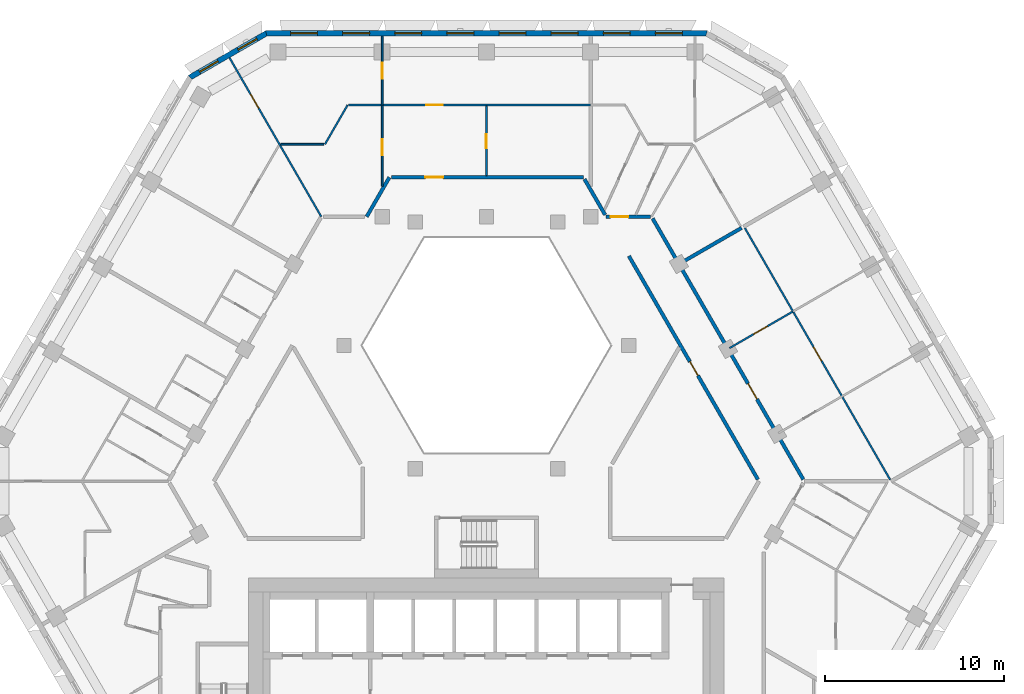
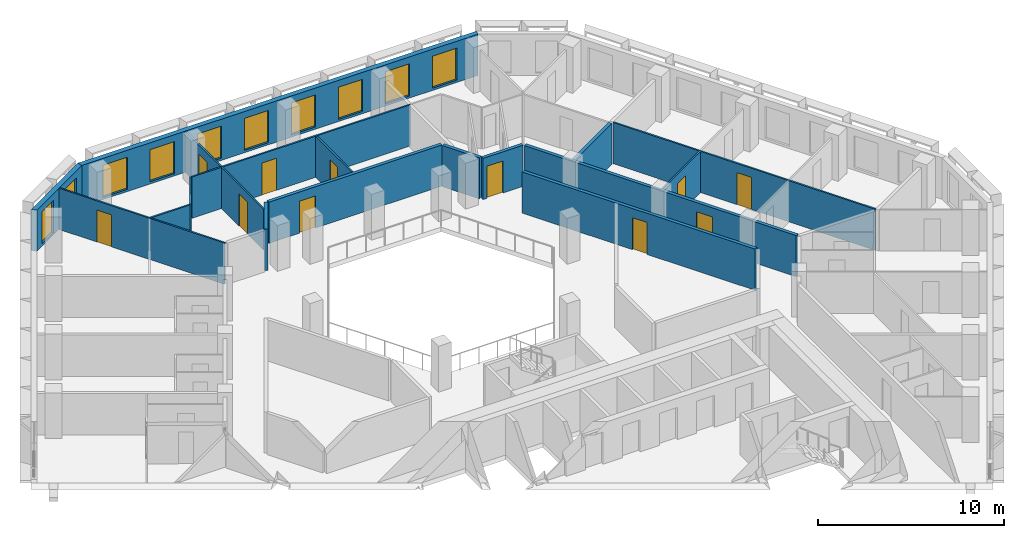
# One storey, part 8 of 17: 18 walls, 11 doors, 10 windows, 21 openings.
"""IFC4 building model written with IfcOpenShell, lengths in metres."""

from ifc_helpers import new_model, si_unit, direction, frame, frame_2d, origin, place, context, subcontext, project, spatial, polyline, rectangle, outline, extrude, material, layer, layer_set, type_object, element, fill, save


model = new_model("IFC4")

# Units and contexts
model_context = context("Model", 3, precision=1e-05, world=origin(), true_north=direction((0.0, 1.0)))
body_context = subcontext(model_context, "Body", "Model", "MODEL_VIEW")
ifc_project = project(units=[si_unit("LENGTHUNIT", "METRE"), si_unit("AREAUNIT", "SQUARE_METRE"), si_unit("VOLUMEUNIT", "CUBIC_METRE"), si_unit("PLANEANGLEUNIT", "RADIAN"), si_unit("MASSUNIT", "GRAM", prefix="KILO")], contexts=[model_context])

# Site, building, storey
site_placement = place(None, origin())
site = spatial("IfcSite", under=ifc_project, at=site_placement, CompositionType="ELEMENT")
building_placement = place(site_placement, origin())
building = spatial("IfcBuilding", under=site, at=building_placement, Name="Beryl Residences", CompositionType="ELEMENT")
storey_placement = place(building_placement, frame((0.0, 0.0, 132.60009765625)))
storey = spatial("IfcBuildingStorey", under=building, at=storey_placement, Name="L40", CompositionType="ELEMENT", Elevation=132.60009765625)

# Wall, openings, windows
ifc_material_1 = material(Name="Composite metal panel with mineral wool insulation")
ifc_layer_1 = layer(ifc_material_1, 0.300048828125)
ifc_layer_set_1 = layer_set([ifc_layer_1], Name="ES1 pale metal composite panel wall 300 mm")
wall_type_1 = type_object("IfcWallType", Name="ES1 pale metal composite panel wall 300 mm", PredefinedType="SOLIDWALL", material=ifc_layer_set_1)
wall_1_placement = place(storey_placement, frame((12.35498046875, 25.449951171875, 0.0), z_axis=(0.0, 0.0, 1.0), x_axis=(-1.0, 0.0, 0.0)))
wall_1 = element("IfcWall", 1, at=wall_1_placement, inside=storey, type_object=wall_type_1, Name="ES1 external wall L40 N", PredefinedType="SOLIDWALL", context=body_context, shape_type="SweptSolid", body=[
    extrude(outline(polyline([(0.0, -0.14990234375), (24.7099609375, -0.14990234375), (24.629638671875, 0.14990234375), (0.080322265625, 0.14990234375), (0.0, -0.14990234375)])), origin(), (0.0, 0.0, 1.0), 2.699951171875),
])
opening_1_placement = place(wall_1_placement, frame((1.40087890625, 0.0, 0.14990234375)))
opening_1 = element("IfcOpeningElement", 2, at=opening_1_placement, cuts=wall_1, Name="Opening W1", PredefinedType="OPENING", context=body_context, shape_type="SweptSolid", body=[
    extrude(rectangle(XDim=1.5, YDim=2.10009765625, at=frame_2d((0.75, 1.050048828125))), frame((0.0, 0.159912109375, 0.0), z_axis=(0.0, -1.0, 0.0), x_axis=(1.0, 0.0, 0.0)), (0.0, 0.0, 1.0), 0.320068359375),
])
opening_2_placement = place(wall_1_placement, frame((4.31591796875, 0.0, 0.14990234375)))
opening_2 = element("IfcOpeningElement", 3, at=opening_2_placement, cuts=wall_1, Name="Opening W1", PredefinedType="OPENING", context=body_context, shape_type="SweptSolid", body=[
    extrude(rectangle(XDim=1.5, YDim=2.10009765625, at=frame_2d((0.75, 1.050048828125))), frame((0.0, 0.159912109375, 0.0), z_axis=(0.0, -1.0, 0.0), x_axis=(1.0, 0.0, 0.0)), (0.0, 0.0, 1.0), 0.320068359375),
])
opening_3_placement = place(wall_1_placement, frame((7.23193359375, 0.0, 0.14990234375)))
opening_3 = element("IfcOpeningElement", 4, at=opening_3_placement, cuts=wall_1, Name="Opening W1", PredefinedType="OPENING", context=body_context, shape_type="SweptSolid", body=[
    extrude(rectangle(XDim=1.5, YDim=2.10009765625, at=frame_2d((0.75, 1.050048828125))), frame((0.0, 0.159912109375, 0.0), z_axis=(0.0, -1.0, 0.0), x_axis=(1.0, 0.0, 0.0)), (0.0, 0.0, 1.0), 0.320068359375),
])
opening_4_placement = place(wall_1_placement, frame((10.14697265625, 0.0, 0.14990234375)))
opening_4 = element("IfcOpeningElement", 5, at=opening_4_placement, cuts=wall_1, Name="Opening W1", PredefinedType="OPENING", context=body_context, shape_type="SweptSolid", body=[
    extrude(rectangle(XDim=1.5, YDim=2.10009765625, at=frame_2d((0.75, 1.050048828125))), frame((0.0, 0.159912109375, 0.0), z_axis=(0.0, -1.0, 0.0), x_axis=(1.0, 0.0, 0.0)), (0.0, 0.0, 1.0), 0.320068359375),
])
opening_5_placement = place(wall_1_placement, frame((13.06298828125, 0.0, 0.14990234375)))
opening_5 = element("IfcOpeningElement", 6, at=opening_5_placement, cuts=wall_1, Name="Opening W1", PredefinedType="OPENING", context=body_context, shape_type="SweptSolid", body=[
    extrude(rectangle(XDim=1.5, YDim=2.10009765625, at=frame_2d((0.75, 1.050048828125))), frame((0.0, 0.159912109375, 0.0), z_axis=(0.0, -1.0, 0.0), x_axis=(1.0, 0.0, 0.0)), (0.0, 0.0, 1.0), 0.320068359375),
])
opening_6_placement = place(wall_1_placement, frame((15.97802734375, 0.0, 0.14990234375)))
opening_6 = element("IfcOpeningElement", 7, at=opening_6_placement, cuts=wall_1, Name="Opening W1", PredefinedType="OPENING", context=body_context, shape_type="SweptSolid", body=[
    extrude(rectangle(XDim=1.5, YDim=2.10009765625, at=frame_2d((0.75, 1.050048828125))), frame((0.0, 0.159912109375, 0.0), z_axis=(0.0, -1.0, 0.0), x_axis=(1.0, 0.0, 0.0)), (0.0, 0.0, 1.0), 0.320068359375),
])
opening_7_placement = place(wall_1_placement, frame((18.89404296875, 0.0, 0.14990234375)))
opening_7 = element("IfcOpeningElement", 8, at=opening_7_placement, cuts=wall_1, Name="Opening W1", PredefinedType="OPENING", context=body_context, shape_type="SweptSolid", body=[
    extrude(rectangle(XDim=1.5, YDim=2.10009765625, at=frame_2d((0.75, 1.050048828125))), frame((0.0, 0.159912109375, 0.0), z_axis=(0.0, -1.0, 0.0), x_axis=(1.0, 0.0, 0.0)), (0.0, 0.0, 1.0), 0.320068359375),
])
opening_8_placement = place(wall_1_placement, frame((21.80908203125, 0.0, 0.14990234375)))
opening_8 = element("IfcOpeningElement", 9, at=opening_8_placement, cuts=wall_1, Name="Opening W1", PredefinedType="OPENING", context=body_context, shape_type="SweptSolid", body=[
    extrude(rectangle(XDim=1.5, YDim=2.10009765625, at=frame_2d((0.75, 1.050048828125))), frame((0.0, 0.159912109375, 0.0), z_axis=(0.0, -1.0, 0.0), x_axis=(1.0, 0.0, 0.0)), (0.0, 0.0, 1.0), 0.320068359375),
])
ifc_material_2 = material(Name="Aluminium and clear glass", Category="aluminium")
window_type_1 = type_object("IfcWindowType", Name="W1 cell window 1500 x 2100 mm", PartitioningType="SINGLE_PANEL", PredefinedType="WINDOW", material=ifc_material_2)
window_1_placement = place(opening_1_placement, origin())
window_1 = element("IfcWindow", 10, at=window_1_placement, inside=storey, type_object=window_type_1, Name="W1 window L40 N 1", OverallHeight=2.10009765625, OverallWidth=1.5, PartitioningType="SINGLE_PANEL", PredefinedType="WINDOW", context=body_context, shape_type="SweptSolid", body=[
    extrude(rectangle(XDim=1.5, YDim=2.10009765625, at=frame_2d((0.75, 1.050048828125))), frame((0.0, 0.030029296875, 0.0), z_axis=(0.0, -1.0, 0.0), x_axis=(1.0, 0.0, 0.0)), (0.0, 0.0, 1.0), 0.06005859375),
])
fill(opening_1, window_1)
window_2_placement = place(opening_2_placement, origin())
window_2 = element("IfcWindow", 11, at=window_2_placement, inside=storey, type_object=window_type_1, Name="W1 window L40 N 2", OverallHeight=2.10009765625, OverallWidth=1.5, PartitioningType="SINGLE_PANEL", PredefinedType="WINDOW", context=body_context, shape_type="SweptSolid", body=[
    extrude(rectangle(XDim=1.5, YDim=2.10009765625, at=frame_2d((0.75, 1.050048828125))), frame((0.0, 0.030029296875, 0.0), z_axis=(0.0, -1.0, 0.0), x_axis=(1.0, 0.0, 0.0)), (0.0, 0.0, 1.0), 0.06005859375),
])
fill(opening_2, window_2)
window_3_placement = place(opening_3_placement, origin())
window_3 = element("IfcWindow", 12, at=window_3_placement, inside=storey, type_object=window_type_1, Name="W1 window L40 N 3", OverallHeight=2.10009765625, OverallWidth=1.5, PartitioningType="SINGLE_PANEL", PredefinedType="WINDOW", context=body_context, shape_type="SweptSolid", body=[
    extrude(rectangle(XDim=1.5, YDim=2.10009765625, at=frame_2d((0.75, 1.050048828125))), frame((0.0, 0.030029296875, 0.0), z_axis=(0.0, -1.0, 0.0), x_axis=(1.0, 0.0, 0.0)), (0.0, 0.0, 1.0), 0.06005859375),
])
fill(opening_3, window_3)
window_4_placement = place(opening_4_placement, origin())
window_4 = element("IfcWindow", 13, at=window_4_placement, inside=storey, type_object=window_type_1, Name="W1 window L40 N 4", OverallHeight=2.10009765625, OverallWidth=1.5, PartitioningType="SINGLE_PANEL", PredefinedType="WINDOW", context=body_context, shape_type="SweptSolid", body=[
    extrude(rectangle(XDim=1.5, YDim=2.10009765625, at=frame_2d((0.75, 1.050048828125))), frame((0.0, 0.030029296875, 0.0), z_axis=(0.0, -1.0, 0.0), x_axis=(1.0, 0.0, 0.0)), (0.0, 0.0, 1.0), 0.06005859375),
])
fill(opening_4, window_4)
window_5_placement = place(opening_5_placement, origin())
window_5 = element("IfcWindow", 14, at=window_5_placement, inside=storey, type_object=window_type_1, Name="W1 window L40 N 5", OverallHeight=2.10009765625, OverallWidth=1.5, PartitioningType="SINGLE_PANEL", PredefinedType="WINDOW", context=body_context, shape_type="SweptSolid", body=[
    extrude(rectangle(XDim=1.5, YDim=2.10009765625, at=frame_2d((0.75, 1.050048828125))), frame((0.0, 0.030029296875, 0.0), z_axis=(0.0, -1.0, 0.0), x_axis=(1.0, 0.0, 0.0)), (0.0, 0.0, 1.0), 0.06005859375),
])
fill(opening_5, window_5)
window_6_placement = place(opening_6_placement, origin())
window_6 = element("IfcWindow", 15, at=window_6_placement, inside=storey, type_object=window_type_1, Name="W1 window L40 N 6", OverallHeight=2.10009765625, OverallWidth=1.5, PartitioningType="SINGLE_PANEL", PredefinedType="WINDOW", context=body_context, shape_type="SweptSolid", body=[
    extrude(rectangle(XDim=1.5, YDim=2.10009765625, at=frame_2d((0.75, 1.050048828125))), frame((0.0, 0.030029296875, 0.0), z_axis=(0.0, -1.0, 0.0), x_axis=(1.0, 0.0, 0.0)), (0.0, 0.0, 1.0), 0.06005859375),
])
fill(opening_6, window_6)
window_7_placement = place(opening_7_placement, origin())
window_7 = element("IfcWindow", 16, at=window_7_placement, inside=storey, type_object=window_type_1, Name="W1 window L40 N 7", OverallHeight=2.10009765625, OverallWidth=1.5, PartitioningType="SINGLE_PANEL", PredefinedType="WINDOW", context=body_context, shape_type="SweptSolid", body=[
    extrude(rectangle(XDim=1.5, YDim=2.10009765625, at=frame_2d((0.75, 1.050048828125))), frame((0.0, 0.030029296875, 0.0), z_axis=(0.0, -1.0, 0.0), x_axis=(1.0, 0.0, 0.0)), (0.0, 0.0, 1.0), 0.06005859375),
])
fill(opening_7, window_7)
window_8_placement = place(opening_8_placement, origin())
window_8 = element("IfcWindow", 17, at=window_8_placement, inside=storey, type_object=window_type_1, Name="W1 window L40 N 8", OverallHeight=2.10009765625, OverallWidth=1.5, PartitioningType="SINGLE_PANEL", PredefinedType="WINDOW", context=body_context, shape_type="SweptSolid", body=[
    extrude(rectangle(XDim=1.5, YDim=2.10009765625, at=frame_2d((0.75, 1.050048828125))), frame((0.0, 0.030029296875, 0.0), z_axis=(0.0, -1.0, 0.0), x_axis=(1.0, 0.0, 0.0)), (0.0, 0.0, 1.0), 0.06005859375),
])
fill(opening_8, window_8)

wall_2_placement = place(storey_placement, frame((-12.280029296875, 25.469970703125, 0.0), z_axis=(0.0, 0.0, 1.0), x_axis=(-0.866022959057, -0.500004234368, 0.0)))
wall_2 = element("IfcWall", 18, at=wall_2_placement, inside=storey, type_object=wall_type_1, Name="ES1 external wall L40 N-NW", PredefinedType="SOLIDWALL", context=body_context, shape_type="SweptSolid", body=[
    extrude(outline(polyline([(0.0, -0.14990234375), (5.0, -0.14990234375), (4.919677734375, 0.14990234375), (0.080322265625, 0.14990234375), (0.0, -0.14990234375)])), origin(), (0.0, 0.0, 1.0), 2.699951171875),
])
opening_9_placement = place(wall_2_placement, frame((0.64990234375, 0.0, 0.14990234375)))
opening_9 = element("IfcOpeningElement", 19, at=opening_9_placement, cuts=wall_2, Name="Opening W2", PredefinedType="OPENING", context=body_context, shape_type="SweptSolid", body=[
    extrude(rectangle(XDim=1.199951171875, YDim=2.10009765625, at=frame_2d((0.60009765625, 1.050048828125))), frame((0.0, 0.159912109375, 0.0), z_axis=(0.0, -1.0, 0.0), x_axis=(1.0, 0.0, 0.0)), (0.0, 0.0, 1.0), 0.320068359375),
])
opening_10_placement = place(wall_2_placement, frame((3.14892578125, 0.0, 0.14990234375)))
opening_10 = element("IfcOpeningElement", 20, at=opening_10_placement, cuts=wall_2, Name="Opening W2", PredefinedType="OPENING", context=body_context, shape_type="SweptSolid", body=[
    extrude(rectangle(XDim=1.199951171875, YDim=2.10009765625, at=frame_2d((0.60009765625, 1.050048828125))), frame((0.0, 0.159912109375, 0.0), z_axis=(0.0, -1.0, 0.0), x_axis=(1.0, 0.0, 0.0)), (0.0, 0.0, 1.0), 0.320068359375),
])
ifc_material_3 = material(Name="Aluminium and clear glass", Category="aluminium")
window_type_2 = type_object("IfcWindowType", Name="W2 chamfer window 1200 x 2100 mm", PartitioningType="SINGLE_PANEL", PredefinedType="WINDOW", material=ifc_material_3)
window_9_placement = place(opening_9_placement, origin())
window_9 = element("IfcWindow", 21, at=window_9_placement, inside=storey, type_object=window_type_2, Name="W2 window L40 N-NW 1", OverallHeight=2.10009765625, OverallWidth=1.199951171875, PartitioningType="SINGLE_PANEL", PredefinedType="WINDOW", context=body_context, shape_type="SweptSolid", body=[
    extrude(rectangle(XDim=1.199951171875, YDim=2.10009765625, at=frame_2d((0.60009765625, 1.050048828125))), frame((0.0, 0.030029296875, 0.0), z_axis=(0.0, -1.0, 0.0), x_axis=(1.0, 0.0, 0.0)), (0.0, 0.0, 1.0), 0.06005859375),
])
fill(opening_9, window_9)
window_10_placement = place(opening_10_placement, origin())
window_10 = element("IfcWindow", 22, at=window_10_placement, inside=storey, type_object=window_type_2, Name="W2 window L40 N-NW 2", OverallHeight=2.10009765625, OverallWidth=1.199951171875, PartitioningType="SINGLE_PANEL", PredefinedType="WINDOW", context=body_context, shape_type="SweptSolid", body=[
    extrude(rectangle(XDim=1.199951171875, YDim=2.10009765625, at=frame_2d((0.60009765625, 1.050048828125))), frame((0.0, 0.030029296875, 0.0), z_axis=(0.0, -1.0, 0.0), x_axis=(1.0, 0.0, 0.0)), (0.0, 0.0, 1.0), 0.06005859375),
])
fill(opening_10, window_10)

# Wall, opening, door
ifc_material_4 = material(Name="Gypsum board partition on steel studs", Category="steel")
ifc_layer_2 = layer(ifc_material_4, 0.10009765625)
ifc_layer_set_2 = layer_set([ifc_layer_2], Name="PT1 partition 100 mm gypsum board on steel studs")
wall_type_2 = type_object("IfcWallType", Name="PT1 partition 100 mm gypsum board on steel studs", PredefinedType="PARTITIONING", material=ifc_layer_set_2)
wall_3_placement = place(storey_placement, frame((-14.3701171875, 24.090087890625, 0.0), z_axis=(0.0, 0.0, 1.0), x_axis=(0.50002438799, -0.866011322914, 0.0)))
wall_3 = element("IfcWall", 23, at=wall_3_placement, inside=storey, type_object=wall_type_2, Name="Wall PT1 L40 001", PredefinedType="PARTITIONING", context=body_context, shape_type="SweptSolid", body=[
    extrude(rectangle(XDim=10.265625, YDim=0.10009765625, at=frame_2d((5.1328125, 0.0))), origin(), (0.0, 0.0, 1.0), 2.699951171875),
])
opening_11_placement = place(wall_3_placement, frame((2.346923828125, 0.0, 0.0)))
opening_11 = element("IfcOpeningElement", 24, at=opening_11_placement, cuts=wall_3, Name="Opening D1013", PredefinedType="OPENING", context=body_context, shape_type="SweptSolid", body=[
    extrude(rectangle(XDim=0.89990234375, YDim=2.10009765625, at=frame_2d((0.449951171875, 1.050048828125))), frame((0.0, 0.06005859375, 0.0), z_axis=(0.0, -1.0, 0.0), x_axis=(1.0, 0.0, 0.0)), (0.0, 0.0, 1.0), 0.1201171875),
])
ifc_material_5 = material(Name="Timber door leaf", Category="wood")
door_type_1 = type_object("IfcDoorType", Name="D2 room door 900 x 2100 mm", OperationType="SINGLE_SWING_LEFT", PredefinedType="DOOR", material=ifc_material_5)
door_1_placement = place(opening_11_placement, origin())
door_1 = element("IfcDoor", 25, at=door_1_placement, inside=storey, type_object=door_type_1, Name="Door D1013 L40 001", OperationType="SINGLE_SWING_LEFT", OverallHeight=2.10009765625, OverallWidth=0.89990234375, PredefinedType="DOOR", context=body_context, shape_type="SweptSolid", body=[
    extrude(rectangle(XDim=0.89990234375, YDim=2.10009765625, at=frame_2d((0.449951171875, 1.050048828125))), frame((0.0, 0.02490234375, 0.0), z_axis=(0.0, -1.0, 0.0), x_axis=(1.0, 0.0, 0.0)), (0.0, 0.0, 1.0), 0.050048828125),
])
fill(opening_11, door_1)

wall_4_placement = place(storey_placement, frame((14.455078125, 14.56298828125, 0.0), z_axis=(0.0, 0.0, 1.0), x_axis=(0.500009803579, -0.866019743612, 0.0)))
wall_4 = element("IfcWall", 26, at=wall_4_placement, inside=storey, type_object=wall_type_2, Name="Wall PT1 L40 005", PredefinedType="PARTITIONING", context=body_context, shape_type="SweptSolid", body=[
    extrude(rectangle(XDim=16.253662109375, YDim=0.10009765625, at=frame_2d((8.126953125, 0.0))), origin(), (0.0, 0.0, 1.0), 2.699951171875),
])
opening_12_placement = place(wall_4_placement, frame((7.677001953125, 0.0, 0.0)))
opening_12 = element("IfcOpeningElement", 27, at=opening_12_placement, cuts=wall_4, Name="Opening D1050", PredefinedType="OPENING", context=body_context, shape_type="SweptSolid", body=[
    extrude(rectangle(XDim=0.89990234375, YDim=2.10009765625, at=frame_2d((0.449951171875, 1.050048828125))), frame((0.0, 0.06005859375, 0.0), z_axis=(0.0, -1.0, 0.0), x_axis=(1.0, 0.0, 0.0)), (0.0, 0.0, 1.0), 0.1201171875),
])
door_2_placement = place(opening_12_placement, origin())
door_2 = element("IfcDoor", 28, at=door_2_placement, inside=storey, type_object=door_type_1, Name="Door D1050 L40 001", OperationType="SINGLE_SWING_RIGHT", OverallHeight=2.10009765625, OverallWidth=0.89990234375, PredefinedType="DOOR", context=body_context, shape_type="SweptSolid", body=[
    extrude(rectangle(XDim=0.89990234375, YDim=2.10009765625, at=frame_2d((0.449951171875, 1.050048828125))), frame((0.0, 0.02490234375, 0.0), z_axis=(0.0, -1.0, 0.0), x_axis=(1.0, 0.0, 0.0)), (0.0, 0.0, 1.0), 0.050048828125),
])
fill(opening_12, door_2)

# Wall
wall_5_placement = place(storey_placement, frame((-11.51611328125, 19.24609375, 0.0), z_axis=(0.0, 0.0, 1.0), x_axis=(1.0, 0.0, 0.0)))
element("IfcWall", 29, at=wall_5_placement, inside=storey, type_object=wall_type_2, Name="Wall PT1 L40 027", PredefinedType="PARTITIONING", context=body_context, shape_type="SweptSolid", body=[
    extrude(rectangle(XDim=2.425048828125, YDim=0.10009765625, at=frame_2d((1.21240234375, 0.0))), origin(), (0.0, 0.0, 1.0), 2.699951171875),
])

# Wall, opening, door
wall_6_placement = place(storey_placement, frame((-7.7060546875, 21.446044921875, 0.0), z_axis=(0.0, 0.0, 1.0), x_axis=(1.0, 0.0, 0.0)))
wall_6 = element("IfcWall", 30, at=wall_6_placement, inside=storey, type_object=wall_type_2, Name="Wall PT1 L40 029", PredefinedType="PARTITIONING", context=body_context, shape_type="SweptSolid", body=[
    extrude(rectangle(XDim=13.537109375, YDim=0.10009765625, at=frame_2d((6.7685546875, 0.0))), origin(), (0.0, 0.0, 1.0), 2.699951171875),
])
opening_13_placement = place(wall_6_placement, frame((4.35009765625, 0.0, 0.0)))
opening_13 = element("IfcOpeningElement", 31, at=opening_13_placement, cuts=wall_6, Name="Opening D1009", PredefinedType="OPENING", context=body_context, shape_type="SweptSolid", body=[
    extrude(rectangle(XDim=0.89990234375, YDim=2.10009765625, at=frame_2d((0.449951171875, 1.050048828125))), frame((0.0, 0.06005859375, 0.0), z_axis=(0.0, -1.0, 0.0), x_axis=(1.0, 0.0, 0.0)), (0.0, 0.0, 1.0), 0.1201171875),
])
door_3_placement = place(opening_13_placement, origin())
door_3 = element("IfcDoor", 32, at=door_3_placement, inside=storey, type_object=door_type_1, Name="Door D1009 L40 001", OperationType="SINGLE_SWING_LEFT", OverallHeight=2.10009765625, OverallWidth=0.89990234375, PredefinedType="DOOR", context=body_context, shape_type="SweptSolid", body=[
    extrude(rectangle(XDim=0.89990234375, YDim=2.10009765625, at=frame_2d((0.449951171875, 1.050048828125))), frame((0.0, 0.02490234375, 0.0), z_axis=(0.0, -1.0, 0.0), x_axis=(1.0, 0.0, 0.0)), (0.0, 0.0, 1.0), 0.050048828125),
])
fill(opening_13, door_3)

# Wall
wall_7_placement = place(storey_placement, frame((-9.032958984375, 19.24609375, 0.0), z_axis=(0.0, 0.0, 1.0), x_axis=(0.499963722229, 0.866046347752, 0.0)))
element("IfcWall", 33, at=wall_7_placement, inside=storey, type_object=wall_type_2, Name="Wall PT1 L40 032", PredefinedType="PARTITIONING", context=body_context, shape_type="SweptSolid", body=[
    extrude(rectangle(XDim=2.540283203125, YDim=0.10009765625, at=frame_2d((1.27001953125, 0.0))), origin(), (0.0, 0.0, 1.0), 2.699951171875),
])

# Wall, opening, door
wall_8_placement = place(storey_placement, frame((0.0, 17.5, 0.0), z_axis=(0.0, 0.0, 1.0), x_axis=(0.0, 1.0, 0.0)))
wall_8 = element("IfcWall", 34, at=wall_8_placement, inside=storey, type_object=wall_type_2, Name="Wall PT1 L40 044", PredefinedType="PARTITIONING", context=body_context, shape_type="SweptSolid", body=[
    extrude(rectangle(XDim=3.89599609375, YDim=0.10009765625, at=frame_2d((1.947998046875, 0.0))), origin(), (0.0, 0.0, 1.0), 2.699951171875),
])
opening_14_placement = place(wall_8_placement, frame((1.52294921875, 0.0, 0.0)))
opening_14 = element("IfcOpeningElement", 35, at=opening_14_placement, cuts=wall_8, Name="Opening D1011", PredefinedType="OPENING", context=body_context, shape_type="SweptSolid", body=[
    extrude(rectangle(XDim=0.800048828125, YDim=2.10009765625, at=frame_2d((0.39990234375, 1.050048828125))), frame((0.0, 0.06005859375, 0.0), z_axis=(0.0, -1.0, 0.0), x_axis=(1.0, 0.0, 0.0)), (0.0, 0.0, 1.0), 0.1201171875),
])
ifc_material_6 = material(Name="Timber door leaf", Category="wood")
door_type_2 = type_object("IfcDoorType", Name="D3 bathroom door 800 x 2100 mm", OperationType="SINGLE_SWING_LEFT", PredefinedType="DOOR", material=ifc_material_6)
door_4_placement = place(opening_14_placement, origin())
door_4 = element("IfcDoor", 36, at=door_4_placement, inside=storey, type_object=door_type_2, Name="Door D1011 L40 001", OperationType="SINGLE_SWING_LEFT", OverallHeight=2.10009765625, OverallWidth=0.800048828125, PredefinedType="DOOR", context=body_context, shape_type="SweptSolid", body=[
    extrude(rectangle(XDim=0.800048828125, YDim=2.10009765625, at=frame_2d((0.39990234375, 1.050048828125))), frame((0.0, 0.02490234375, 0.0), z_axis=(0.0, -1.0, 0.0), x_axis=(1.0, 0.0, 0.0)), (0.0, 0.0, 1.0), 0.050048828125),
])
fill(opening_14, door_4)

wall_9_placement = place(storey_placement, frame((-5.8310546875, 16.89990234375, 0.0), z_axis=(0.0, 0.0, 1.0), x_axis=(0.0, 1.0, 0.0)))
wall_9 = element("IfcWall", 37, at=wall_9_placement, inside=storey, type_object=wall_type_2, Name="Wall PT1 L40 046", PredefinedType="PARTITIONING", context=body_context, shape_type="SweptSolid", body=[
    extrude(rectangle(XDim=4.546142578125, YDim=0.10009765625, at=frame_2d((2.27294921875, 0.0))), origin(), (0.0, 0.0, 1.0), 2.699951171875),
])
opening_15_placement = place(wall_9_placement, frame((1.722900390625, 0.0, 0.0)))
opening_15 = element("IfcOpeningElement", 38, at=opening_15_placement, cuts=wall_9, Name="Opening D1010", PredefinedType="OPENING", context=body_context, shape_type="SweptSolid", body=[
    extrude(rectangle(XDim=0.89990234375, YDim=2.10009765625, at=frame_2d((0.449951171875, 1.050048828125))), frame((0.0, 0.06005859375, 0.0), z_axis=(0.0, -1.0, 0.0), x_axis=(1.0, 0.0, 0.0)), (0.0, 0.0, 1.0), 0.1201171875),
])
door_5_placement = place(opening_15_placement, origin())
door_5 = element("IfcDoor", 39, at=door_5_placement, inside=storey, type_object=door_type_1, Name="Door D1010 L40 001", OperationType="SINGLE_SWING_RIGHT", OverallHeight=2.10009765625, OverallWidth=0.89990234375, PredefinedType="DOOR", context=body_context, shape_type="SweptSolid", body=[
    extrude(rectangle(XDim=0.89990234375, YDim=2.10009765625, at=frame_2d((0.449951171875, 1.050048828125))), frame((0.0, 0.02490234375, 0.0), z_axis=(0.0, -1.0, 0.0), x_axis=(1.0, 0.0, 0.0)), (0.0, 0.0, 1.0), 0.050048828125),
])
fill(opening_15, door_5)

wall_10_placement = place(storey_placement, frame((13.596923828125, 7.85009765625, 0.0), z_axis=(0.0, 0.0, 1.0), x_axis=(0.866006068523, 0.500033488159, 0.0)))
wall_10 = element("IfcWall", 40, at=wall_10_placement, inside=storey, type_object=wall_type_2, Name="Wall PT1 L40 052", PredefinedType="PARTITIONING", context=body_context, shape_type="SweptSolid", body=[
    extrude(rectangle(XDim=4.099365234375, YDim=0.10009765625, at=frame_2d((2.0498046875, 0.0))), origin(), (0.0, 0.0, 1.0), 2.699951171875),
])
opening_16_placement = place(wall_10_placement, frame((1.550048828125, 0.0, 0.0)))
opening_16 = element("IfcOpeningElement", 41, at=opening_16_placement, cuts=wall_10, Name="Opening D1052", PredefinedType="OPENING", context=body_context, shape_type="SweptSolid", body=[
    extrude(rectangle(XDim=0.89990234375, YDim=2.10009765625, at=frame_2d((0.449951171875, 1.050048828125))), frame((0.0, 0.06005859375, 0.0), z_axis=(0.0, -1.0, 0.0), x_axis=(1.0, 0.0, 0.0)), (0.0, 0.0, 1.0), 0.1201171875),
])
door_6_placement = place(opening_16_placement, origin())
door_6 = element("IfcDoor", 42, at=door_6_placement, inside=storey, type_object=door_type_1, Name="Door D1052 L40 001", OperationType="SINGLE_SWING_RIGHT", OverallHeight=2.10009765625, OverallWidth=0.89990234375, PredefinedType="DOOR", context=body_context, shape_type="SweptSolid", body=[
    extrude(rectangle(XDim=0.89990234375, YDim=2.10009765625, at=frame_2d((0.449951171875, 1.050048828125))), frame((0.0, 0.02490234375, 0.0), z_axis=(0.0, -1.0, 0.0), x_axis=(1.0, 0.0, 0.0)), (0.0, 0.0, 1.0), 0.050048828125),
])
fill(opening_16, door_6)

wall_11_placement = place(storey_placement, frame((-5.8310546875, 21.446044921875, 0.0), z_axis=(0.0, 0.0, 1.0), x_axis=(0.0, 1.0, 0.0)))
wall_11 = element("IfcWall", 43, at=wall_11_placement, inside=storey, type_object=wall_type_2, Name="Wall PT1 L40 056", PredefinedType="PARTITIONING", context=body_context, shape_type="SweptSolid", body=[
    extrude(rectangle(XDim=3.85400390625, YDim=0.10009765625, at=frame_2d((1.927001953125, 0.0))), origin(), (0.0, 0.0, 1.0), 2.699951171875),
])
opening_17_placement = place(wall_11_placement, frame((1.47705078125, 0.0, 0.0)))
opening_17 = element("IfcOpeningElement", 44, at=opening_17_placement, cuts=wall_11, Name="Opening D1012", PredefinedType="OPENING", context=body_context, shape_type="SweptSolid", body=[
    extrude(rectangle(XDim=0.89990234375, YDim=2.10009765625, at=frame_2d((0.449951171875, 1.050048828125))), frame((0.0, 0.06005859375, 0.0), z_axis=(0.0, -1.0, 0.0), x_axis=(1.0, 0.0, 0.0)), (0.0, 0.0, 1.0), 0.1201171875),
])
door_7_placement = place(opening_17_placement, origin())
door_7 = element("IfcDoor", 45, at=door_7_placement, inside=storey, type_object=door_type_1, Name="Door D1012 L40 001", OperationType="SINGLE_SWING_RIGHT", OverallHeight=2.10009765625, OverallWidth=0.89990234375, PredefinedType="DOOR", context=body_context, shape_type="SweptSolid", body=[
    extrude(rectangle(XDim=0.89990234375, YDim=2.10009765625, at=frame_2d((0.449951171875, 1.050048828125))), frame((0.0, 0.02490234375, 0.0), z_axis=(0.0, -1.0, 0.0), x_axis=(1.0, 0.0, 0.0)), (0.0, 0.0, 1.0), 0.050048828125),
])
fill(opening_17, door_7)

# Walls
ifc_material_7 = material(Name="Acoustic double stud gypsum board wall")
ifc_layer_3 = layer(ifc_material_7, 0.199951171875)
ifc_layer_set_3 = layer_set([ifc_layer_3], Name="PT3 party wall 200 mm acoustic double stud")
wall_type_3 = type_object("IfcWallType", Name="PT3 party wall 200 mm acoustic double stud", PredefinedType="PARTITIONING", material=ifc_layer_set_3)
wall_12_placement = place(storey_placement, frame((10.85400390625, 12.60009765625, 0.0), z_axis=(0.0, 0.0, 1.0), x_axis=(0.866076396086, 0.499911668341, 0.0)))
element("IfcWall", 46, at=wall_12_placement, inside=storey, type_object=wall_type_3, Name="Wall PT3 L40 011", PredefinedType="PARTITIONING", context=body_context, shape_type="SweptSolid", body=[
    extrude(rectangle(XDim=3.946533203125, YDim=0.199951171875, at=frame_2d((1.97314453125, 0.0))), origin(), (0.0, 0.0, 1.0), 2.699951171875),
])
ifc_material_8 = material(Name="Double stud gypsum board wall")
ifc_layer_4 = layer(ifc_material_8, 0.199951171875)
ifc_layer_set_4 = layer_set([ifc_layer_4], Name="PT4 corridor wall 200 mm double stud")
wall_type_4 = type_object("IfcWallType", Name="PT4 corridor wall 200 mm double stud", PredefinedType="PARTITIONING", material=ifc_layer_set_4)
wall_13_placement = place(storey_placement, frame((5.485107421875, 17.300048828125, 0.0), z_axis=(0.0, 0.0, 1.0), x_axis=(0.500027479704, -0.866009537788, 0.0)))
element("IfcWall", 47, at=wall_13_placement, inside=storey, type_object=wall_type_4, Name="Wall PT4 L40 004", PredefinedType="PARTITIONING", context=body_context, shape_type="SweptSolid", body=[
    extrude(rectangle(XDim=2.309326171875, YDim=0.199951171875, at=frame_2d((1.15478515625, 0.0))), origin(), (0.0, 0.0, 1.0), 2.699951171875),
])

# Wall, opening, door
wall_14_placement = place(storey_placement, frame((7.967041015625, 13.0, 0.0), z_axis=(0.0, 0.0, 1.0), x_axis=(0.50003774998, -0.866003607726, 0.0)))
wall_14 = element("IfcWall", 48, at=wall_14_placement, inside=storey, type_object=wall_type_4, Name="Wall PT4 L40 005", PredefinedType="PARTITIONING", context=body_context, shape_type="SweptSolid", body=[
    extrude(rectangle(XDim=14.43310546875, YDim=0.199951171875, at=frame_2d((7.216552734375, 0.0))), origin(), (0.0, 0.0, 1.0), 2.699951171875),
])
opening_18_placement = place(wall_14_placement, frame((6.823974609375, 0.0, 0.0)))
opening_18 = element("IfcOpeningElement", 49, at=opening_18_placement, cuts=wall_14, Name="Opening D1056", PredefinedType="OPENING", context=body_context, shape_type="SweptSolid", body=[
    extrude(rectangle(XDim=0.89990234375, YDim=2.10009765625, at=frame_2d((0.449951171875, 1.050048828125))), frame((0.0, 0.10986328125, 0.0), z_axis=(0.0, -1.0, 0.0), x_axis=(1.0, 0.0, 0.0)), (0.0, 0.0, 1.0), 0.219970703125),
])
door_8_placement = place(opening_18_placement, origin())
door_8 = element("IfcDoor", 50, at=door_8_placement, inside=storey, type_object=door_type_1, Name="Door D1056 L40 001", OperationType="SINGLE_SWING_RIGHT", OverallHeight=2.10009765625, OverallWidth=0.89990234375, PredefinedType="DOOR", context=body_context, shape_type="SweptSolid", body=[
    extrude(rectangle(XDim=0.89990234375, YDim=2.10009765625, at=frame_2d((0.449951171875, 1.050048828125))), frame((0.0, 0.02490234375, 0.0), z_axis=(0.0, -1.0, 0.0), x_axis=(1.0, 0.0, 0.0)), (0.0, 0.0, 1.0), 0.050048828125),
])
fill(opening_18, door_8)

wall_15_placement = place(storey_placement, frame((9.2958984375, 15.10009765625, 0.0), z_axis=(0.0, 0.0, 1.0), x_axis=(0.499974024244, -0.866040400375, 0.0)))
wall_15 = element("IfcWall", 51, at=wall_15_placement, inside=storey, type_object=wall_type_4, Name="Wall PT4 L40 006", PredefinedType="PARTITIONING", context=body_context, shape_type="SweptSolid", body=[
    extrude(rectangle(XDim=16.857421875, YDim=0.199951171875, at=frame_2d((8.4287109375, 0.0))), origin(), (0.0, 0.0, 1.0), 2.699951171875),
])
opening_19_placement = place(wall_15_placement, frame((10.672119140625, 0.0, 0.0)))
opening_19 = element("IfcOpeningElement", 52, at=opening_19_placement, cuts=wall_15, Name="Opening D1049", PredefinedType="OPENING", context=body_context, shape_type="SweptSolid", body=[
    extrude(rectangle(XDim=1.0, YDim=2.10009765625, at=frame_2d((0.5, 1.050048828125))), frame((0.0, 0.10986328125, 0.0), z_axis=(0.0, -1.0, 0.0), x_axis=(1.0, 0.0, 0.0)), (0.0, 0.0, 1.0), 0.219970703125),
])
ifc_material_9 = material(Name="Timber door leaf", Category="wood")
door_type_3 = type_object("IfcDoorType", Name="D1 flat entrance door 1000 x 2100 mm", OperationType="SINGLE_SWING_LEFT", PredefinedType="DOOR", material=ifc_material_9)
door_9_placement = place(opening_19_placement, origin())
door_9 = element("IfcDoor", 53, at=door_9_placement, inside=storey, type_object=door_type_3, Name="Door D1049 L40 001", OperationType="SINGLE_SWING_LEFT", OverallHeight=2.10009765625, OverallWidth=1.0, PredefinedType="DOOR", context=body_context, shape_type="SweptSolid", body=[
    extrude(rectangle(XDim=1.0, YDim=2.10009765625, at=frame_2d((0.5, 1.050048828125))), frame((0.0, 0.02490234375, 0.0), z_axis=(0.0, -1.0, 0.0), x_axis=(1.0, 0.0, 0.0)), (0.0, 0.0, 1.0), 0.050048828125),
])
fill(opening_19, door_9)

wall_16_placement = place(storey_placement, frame((6.697021484375, 15.199951171875, 0.0), z_axis=(0.0, 0.0, 1.0), x_axis=(1.0, 0.0, 0.0)))
wall_16 = element("IfcWall", 54, at=wall_16_placement, inside=storey, type_object=wall_type_4, Name="Wall PT4 L40 015", PredefinedType="PARTITIONING", context=body_context, shape_type="SweptSolid", body=[
    extrude(rectangle(XDim=2.48291015625, YDim=0.199951171875, at=frame_2d((1.241455078125, 0.0))), origin(), (0.0, 0.0, 1.0), 2.699951171875),
])
opening_20_placement = place(wall_16_placement, frame((0.242919921875, 0.0, 0.0)))
opening_20 = element("IfcOpeningElement", 55, at=opening_20_placement, cuts=wall_16, Name="Opening D1001", PredefinedType="OPENING", context=body_context, shape_type="SweptSolid", body=[
    extrude(rectangle(XDim=1.0, YDim=2.10009765625, at=frame_2d((0.5, 1.050048828125))), frame((0.0, 0.10986328125, 0.0), z_axis=(0.0, -1.0, 0.0), x_axis=(1.0, 0.0, 0.0)), (0.0, 0.0, 1.0), 0.219970703125),
])
door_10_placement = place(opening_20_placement, origin())
door_10 = element("IfcDoor", 56, at=door_10_placement, inside=storey, type_object=door_type_3, Name="Door D1001 L40 001", OperationType="SINGLE_SWING_LEFT", OverallHeight=2.10009765625, OverallWidth=1.0, PredefinedType="DOOR", context=body_context, shape_type="SweptSolid", body=[
    extrude(rectangle(XDim=1.0, YDim=2.10009765625, at=frame_2d((0.5, 1.050048828125))), frame((0.0, 0.02490234375, 0.0), z_axis=(0.0, -1.0, 0.0), x_axis=(1.0, 0.0, 0.0)), (0.0, 0.0, 1.0), 0.050048828125),
])
fill(opening_20, door_10)

wall_17_placement = place(storey_placement, frame((-5.31201171875, 17.39990234375, 0.0), z_axis=(0.0, 0.0, 1.0), x_axis=(1.0, 0.0, 0.0)))
wall_17 = element("IfcWall", 57, at=wall_17_placement, inside=storey, type_object=wall_type_4, Name="Wall PT4 L40 016", PredefinedType="PARTITIONING", context=body_context, shape_type="SweptSolid", body=[
    extrude(rectangle(XDim=10.739013671875, YDim=0.199951171875, at=frame_2d((5.36962890625, 0.0))), origin(), (0.0, 0.0, 1.0), 2.699951171875),
])
opening_21_placement = place(wall_17_placement, frame((1.89599609375, 0.0, 0.0)))
opening_21 = element("IfcOpeningElement", 58, at=opening_21_placement, cuts=wall_17, Name="Opening D1008", PredefinedType="OPENING", context=body_context, shape_type="SweptSolid", body=[
    extrude(rectangle(XDim=1.0, YDim=2.10009765625, at=frame_2d((0.5, 1.050048828125))), frame((0.0, 0.10986328125, 0.0), z_axis=(0.0, -1.0, 0.0), x_axis=(1.0, 0.0, 0.0)), (0.0, 0.0, 1.0), 0.219970703125),
])
door_11_placement = place(opening_21_placement, origin())
door_11 = element("IfcDoor", 59, at=door_11_placement, inside=storey, type_object=door_type_3, Name="Door D1008 L40 001", OperationType="SINGLE_SWING_RIGHT", OverallHeight=2.10009765625, OverallWidth=1.0, PredefinedType="DOOR", context=body_context, shape_type="SweptSolid", body=[
    extrude(rectangle(XDim=1.0, YDim=2.10009765625, at=frame_2d((0.5, 1.050048828125))), frame((0.0, 0.02490234375, 0.0), z_axis=(0.0, -1.0, 0.0), x_axis=(1.0, 0.0, 0.0)), (0.0, 0.0, 1.0), 0.050048828125),
])
fill(opening_21, door_11)

# Wall
wall_18_placement = place(storey_placement, frame((-6.697021484375, 15.199951171875, 0.0), z_axis=(0.0, 0.0, 1.0), x_axis=(0.499963722229, 0.866046347752, 0.0)))
element("IfcWall", 60, at=wall_18_placement, inside=storey, type_object=wall_type_4, Name="Wall PT4 L40 021", PredefinedType="PARTITIONING", context=body_context, shape_type="SweptSolid", body=[
    extrude(rectangle(XDim=2.540283203125, YDim=0.199951171875, at=frame_2d((1.27001953125, 0.0))), origin(), (0.0, 0.0, 1.0), 2.699951171875),
])

save(model, "model.ifc")
